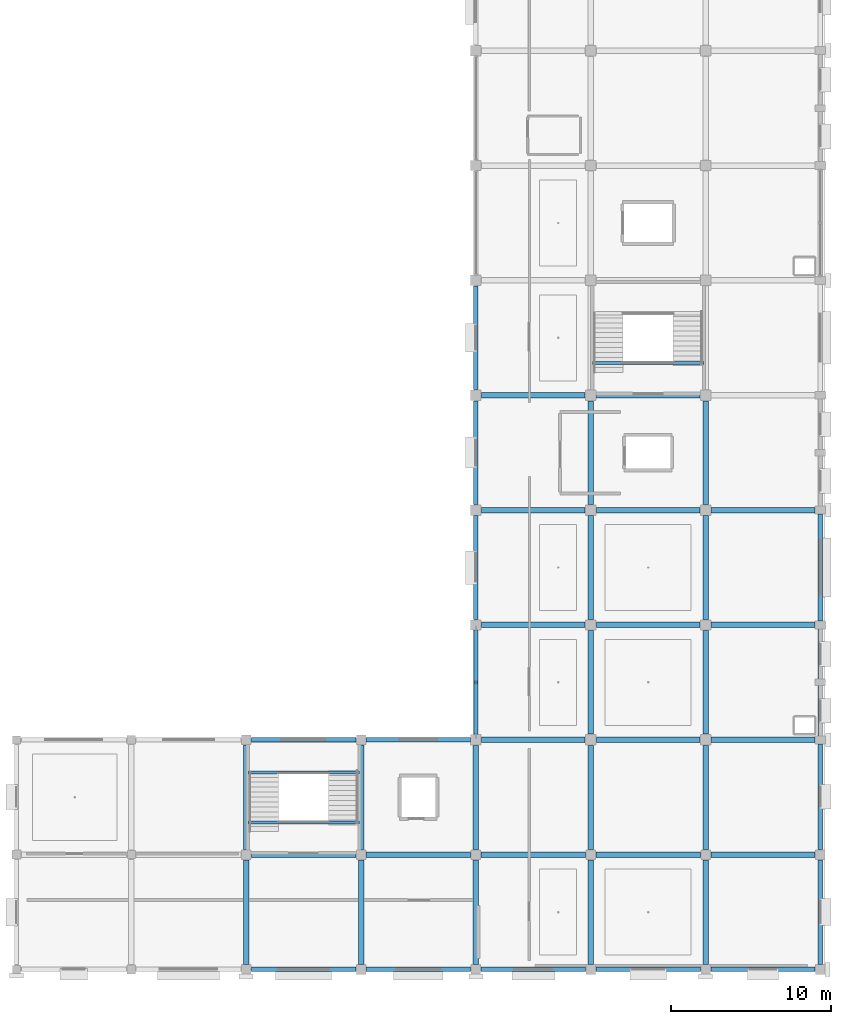
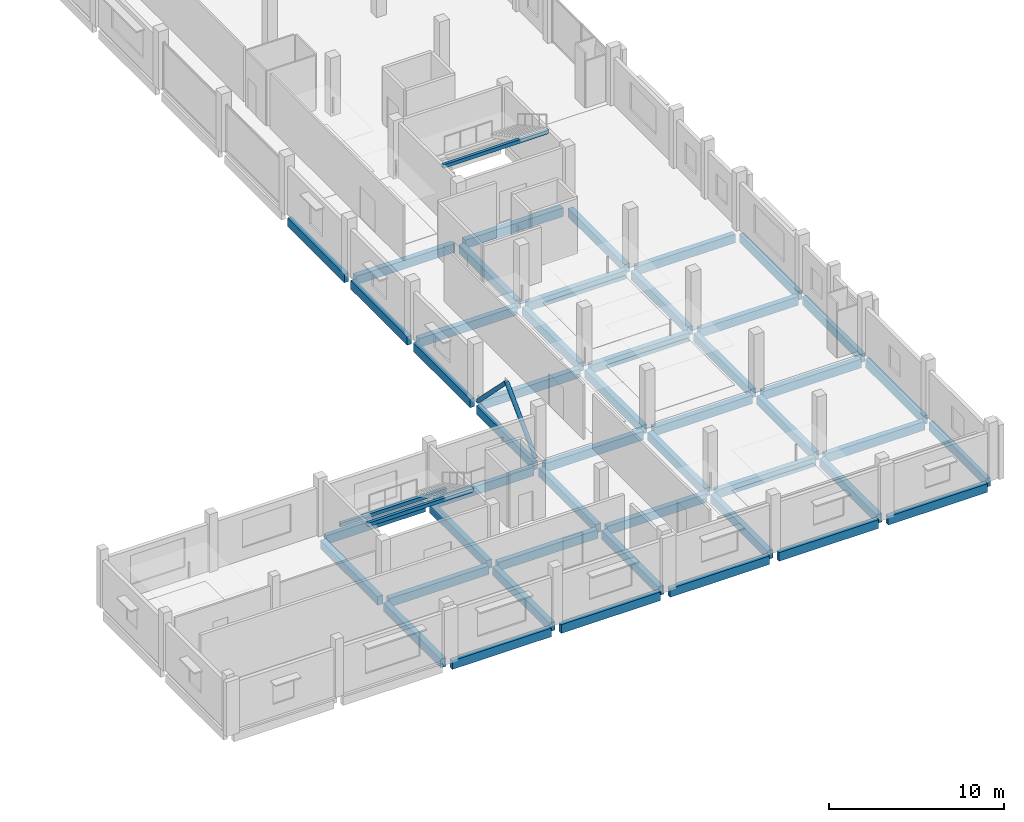
# One storey, part 29 of 77: 50 beams, 2 members.
"""IFC4 building model written with IfcOpenShell, lengths in metres."""

from ifc_helpers import new_model, si_unit, direction, frame, origin, origin_2d, place, context, subcontext, project, spatial, rectangle, hollow_circle, extrude, material, material_profile, profile_set, type_object, element, save


model = new_model("IFC4")

# Units and contexts
model_context = context("Model", 3, precision=1e-05, world=origin(), true_north=direction((0.0, 1.0)))
body_context = subcontext(model_context, "Body", "Model", "MODEL_VIEW")
ifc_project = project(units=[si_unit("LENGTHUNIT", "METRE"), si_unit("AREAUNIT", "SQUARE_METRE"), si_unit("VOLUMEUNIT", "CUBIC_METRE"), si_unit("PLANEANGLEUNIT", "RADIAN"), si_unit("MASSUNIT", "GRAM", prefix="KILO")], contexts=[model_context])

# Site, building, storey
site_placement = place(None, origin())
site = spatial("IfcSite", under=ifc_project, at=site_placement, CompositionType="ELEMENT")
building_placement = place(site_placement, origin())
building = spatial("IfcBuilding", under=site, at=building_placement, Name="Kangsadwip Square Police Headquarters", CompositionType="ELEMENT")
storey_placement = place(building_placement, frame((0.0, 0.0, 17.550048828125)))
storey = spatial("IfcBuildingStorey", under=building, at=storey_placement, Name="L04", CompositionType="ELEMENT", Elevation=17.550048828125)

# Beams
ifc_material_1 = material(Name="Concrete M35 (35 MPa)", Category="concrete")
ifc_material_profile_1 = material_profile(ifc_material_1, rectangle(XDim=0.35009765625, YDim=0.60009765625, at=origin_2d()), Name="RC BM 600X350")
ifc_profile_set_1 = profile_set([ifc_material_profile_1], Name="Concrete M35 (35 MPa)")
beam_type_1 = type_object("IfcBeamType", Name="RcBeam600x350", PredefinedType="BEAM", material=ifc_profile_set_1)
for number, where, z_axis, x_axis, name in (
    (1, (129.925048828125, 28.800048828125, -0.5400390625), (1.0, 0.0, 0.0), (0.0, 1.0, 0.0), "Beam BM-L04-X-18-04"),
    (2, (137.125, 28.800048828125, -0.5400390625), (1.0, 0.0, 0.0), (0.0, 1.0, 0.0), "Beam BM-L04-X-19-04"),
    (3, (144.324951171875, 28.800048828125, -0.5400390625), (1.0, 0.0, 0.0), (0.0, 1.0, 0.0), "Beam BM-L04-X-20-04"),
    (4, (151.52490234375, 28.800048828125, -0.5400390625), (1.0, 0.0, 0.0), (0.0, 1.0, 0.0), "Beam BM-L04-X-21-04"),
):
    element("IfcBeam", number, at=place(storey_placement, frame(where, z_axis=z_axis, x_axis=x_axis)), inside=storey, type_object=beam_type_1, Name=name, PredefinedType="BEAM", context=body_context, shape_type="SweptSolid", body=[
        extrude(rectangle(XDim=0.35009765625, YDim=0.60009765625, at=origin_2d()), origin(), (0.0, 0.0, 1.0), 6.550048828125),
    ])
beam_1_placement = place(storey_placement, frame((158.72509765625, 28.800048828125, -0.5400390625), z_axis=(1.0, 0.0, 0.0), x_axis=(0.0, 1.0, 0.0)))
element("IfcBeam", 5, at=beam_1_placement, inside=storey, type_object=beam_type_1, Name="Beam BM-L04-X-22-04", PredefinedType="BEAM", context=body_context, shape_type="SweptSolid", body=[
    extrude(rectangle(XDim=0.35009765625, YDim=0.60009765625, at=origin_2d()), origin(), (0.0, 0.0, 1.0), 6.5498046875),
])
for number, where, z_axis, x_axis, name in (
    (6, (144.35009765625, 36.0, -0.5400390625), (1.0, 0.0, 0.0), (0.0, 1.0, 0.0), "Beam BM-L04-X-20-05"),
    (7, (151.550048828125, 36.0, -0.5400390625), (1.0, 0.0, 0.0), (0.0, 1.0, 0.0), "Beam BM-L04-X-21-05"),
    (8, (158.75, 36.0, -0.5400390625), (1.0, 0.0, 0.0), (0.0, 1.0, 0.0), "Beam BM-L04-X-22-05"),
    (9, (144.35009765625, 43.199951171875, -0.5400390625), (1.0, 0.0, 0.0), (0.0, 1.0, 0.0), "Beam BM-L04-X-20-06"),
    (10, (151.550048828125, 43.199951171875, -0.5400390625), (1.0, 0.0, 0.0), (0.0, 1.0, 0.0), "Beam BM-L04-X-21-06"),
    (11, (158.75, 43.199951171875, -0.5400390625), (1.0, 0.0, 0.0), (0.0, 1.0, 0.0), "Beam BM-L04-X-22-06"),
    (12, (144.35009765625, 50.39990234375, -0.5400390625), (1.0, 0.0, 0.0), (0.0, 1.0, 0.0), "Beam BM-L04-X-20-07"),
    (13, (151.550048828125, 50.39990234375, -0.5400390625), (1.0, 0.0, 0.0), (0.0, 1.0, 0.0), "Beam BM-L04-X-21-07"),
    (14, (158.75, 50.39990234375, -0.5400390625), (1.0, 0.0, 0.0), (0.0, 1.0, 0.0), "Beam BM-L04-X-22-07"),
    (15, (144.35009765625, 57.60009765625, -0.5400390625), (1.0, 0.0, 0.0), (0.0, 1.0, 0.0), "Beam BM-L04-X-20-08"),
    (16, (151.550048828125, 57.60009765625, -0.5400390625), (1.0, 0.0, 0.0), (0.0, 1.0, 0.0), "Beam BM-L04-X-21-08"),
):
    element("IfcBeam", number, at=place(storey_placement, frame(where, z_axis=z_axis, x_axis=x_axis)), inside=storey, type_object=beam_type_1, Name=name, PredefinedType="BEAM", context=body_context, shape_type="SweptSolid", body=[
        extrude(rectangle(XDim=0.35009765625, YDim=0.60009765625, at=origin_2d()), origin(), (0.0, 0.0, 1.0), 6.5),
    ])
for number, where, z_axis, x_axis, name in (
    (17, (129.60009765625, 21.925048828125, -0.5400390625), (0.0, 1.0, 0.0), (-1.0, 0.0, 0.0), "Beam BM-L04-Y-18-03"),
    (18, (129.60009765625, 29.125, -0.5400390625), (0.0, 1.0, 0.0), (-1.0, 0.0, 0.0), "Beam BM-L04-Y-18-04"),
    (19, (136.800048828125, 21.925048828125, -0.5400390625), (0.0, 1.0, 0.0), (-1.0, 0.0, 0.0), "Beam BM-L04-Y-19-03"),
    (20, (136.800048828125, 29.125, -0.5400390625), (0.0, 1.0, 0.0), (-1.0, 0.0, 0.0), "Beam BM-L04-Y-19-04"),
    (21, (144.0, 21.925048828125, -0.5400390625), (0.0, 1.0, 0.0), (-1.0, 0.0, 0.0), "Beam BM-L04-Y-20-03"),
):
    element("IfcBeam", number, at=place(storey_placement, frame(where, z_axis=z_axis, x_axis=x_axis)), inside=storey, type_object=beam_type_1, Name=name, PredefinedType="BEAM", context=body_context, shape_type="SweptSolid", body=[
        extrude(rectangle(XDim=0.35009765625, YDim=0.60009765625, at=origin_2d()), origin(), (0.0, 0.0, 1.0), 6.550048828125),
    ])
beam_2_placement = place(storey_placement, frame((144.0, 29.125, -0.5400390625), z_axis=(0.0, 1.0, 0.0), x_axis=(-1.0, 0.0, 0.0)))
element("IfcBeam", 22, at=beam_2_placement, inside=storey, type_object=beam_type_1, Name="Beam BM-L04-Y-20-04", PredefinedType="BEAM", context=body_context, shape_type="SweptSolid", body=[
    extrude(rectangle(XDim=0.35009765625, YDim=0.60009765625, at=origin_2d()), origin(), (0.0, 0.0, 1.0), 6.52490234375),
])
beam_3_placement = place(storey_placement, frame((151.199951171875, 21.925048828125, -0.5400390625), z_axis=(0.0, 1.0, 0.0), x_axis=(-1.0, 0.0, 0.0)))
element("IfcBeam", 23, at=beam_3_placement, inside=storey, type_object=beam_type_1, Name="Beam BM-L04-Y-21-03", PredefinedType="BEAM", context=body_context, shape_type="SweptSolid", body=[
    extrude(rectangle(XDim=0.35009765625, YDim=0.60009765625, at=origin_2d()), origin(), (0.0, 0.0, 1.0), 6.550048828125),
])
beam_4_placement = place(storey_placement, frame((151.199951171875, 29.125, -0.5400390625), z_axis=(0.0, 1.0, 0.0), x_axis=(-1.0, 0.0, 0.0)))
element("IfcBeam", 24, at=beam_4_placement, inside=storey, type_object=beam_type_1, Name="Beam BM-L04-Y-21-04", PredefinedType="BEAM", context=body_context, shape_type="SweptSolid", body=[
    extrude(rectangle(XDim=0.35009765625, YDim=0.60009765625, at=origin_2d()), origin(), (0.0, 0.0, 1.0), 6.52490234375),
])
for number, where, z_axis, x_axis, name in (
    (25, (151.199951171875, 36.35009765625, -0.5400390625), (0.0, 1.0, 0.0), (-1.0, 0.0, 0.0), "Beam BM-L04-Y-21-05"),
    (26, (151.199951171875, 43.550048828125, -0.5400390625), (0.0, 1.0, 0.0), (-1.0, 0.0, 0.0), "Beam BM-L04-Y-21-06"),
    (27, (151.199951171875, 50.75, -0.5400390625), (0.0, 1.0, 0.0), (-1.0, 0.0, 0.0), "Beam BM-L04-Y-21-07"),
):
    element("IfcBeam", number, at=place(storey_placement, frame(where, z_axis=z_axis, x_axis=x_axis)), inside=storey, type_object=beam_type_1, Name=name, PredefinedType="BEAM", context=body_context, shape_type="SweptSolid", body=[
        extrude(rectangle(XDim=0.35009765625, YDim=0.60009765625, at=origin_2d()), origin(), (0.0, 0.0, 1.0), 6.5),
    ])
beam_5_placement = place(storey_placement, frame((158.39990234375, 21.925048828125, -0.5400390625), z_axis=(0.0, 1.0, 0.0), x_axis=(-1.0, 0.0, 0.0)))
element("IfcBeam", 28, at=beam_5_placement, inside=storey, type_object=beam_type_1, Name="Beam BM-L04-Y-22-03", PredefinedType="BEAM", context=body_context, shape_type="SweptSolid", body=[
    extrude(rectangle(XDim=0.35009765625, YDim=0.60009765625, at=origin_2d()), origin(), (0.0, 0.0, 1.0), 6.550048828125),
])
beam_6_placement = place(storey_placement, frame((158.39990234375, 29.125, -0.5400390625), z_axis=(0.0, 1.0, 0.0), x_axis=(-1.0, 0.0, 0.0)))
element("IfcBeam", 29, at=beam_6_placement, inside=storey, type_object=beam_type_1, Name="Beam BM-L04-Y-22-04", PredefinedType="BEAM", context=body_context, shape_type="SweptSolid", body=[
    extrude(rectangle(XDim=0.35009765625, YDim=0.60009765625, at=origin_2d()), origin(), (0.0, 0.0, 1.0), 6.52490234375),
])
for number, where, z_axis, x_axis, name in (
    (30, (158.39990234375, 36.35009765625, -0.5400390625), (0.0, 1.0, 0.0), (-1.0, 0.0, 0.0), "Beam BM-L04-Y-22-05"),
    (31, (158.39990234375, 43.550048828125, -0.5400390625), (0.0, 1.0, 0.0), (-1.0, 0.0, 0.0), "Beam BM-L04-Y-22-06"),
    (32, (158.39990234375, 50.75, -0.5400390625), (0.0, 1.0, 0.0), (-1.0, 0.0, 0.0), "Beam BM-L04-Y-22-07"),
):
    element("IfcBeam", number, at=place(storey_placement, frame(where, z_axis=z_axis, x_axis=x_axis)), inside=storey, type_object=beam_type_1, Name=name, PredefinedType="BEAM", context=body_context, shape_type="SweptSolid", body=[
        extrude(rectangle(XDim=0.35009765625, YDim=0.60009765625, at=origin_2d()), origin(), (0.0, 0.0, 1.0), 6.5),
    ])
ifc_material_2 = material(Name="Concrete M30 (30 MPa)", Category="concrete")
ifc_material_profile_2 = material_profile(ifc_material_2, rectangle(XDim=0.199951171875, YDim=0.25, at=origin_2d()), Name="RC LNT 250X200")
ifc_profile_set_2 = profile_set([ifc_material_profile_2], Name="Concrete M30 (30 MPa)")
beam_type_2 = type_object("IfcBeamType", Name="RcLintel250x200", PredefinedType="LINTEL", material=ifc_profile_set_2)
for number, where, z_axis, x_axis, name in (
    (33, (151.300048828125, 59.6201171875, 3.704833984375), (1.0, 0.0, 0.0), (0.0, 1.0, 0.0), "Stair Carriage and Landing Beam BM-ST-L04-051"),
    (34, (129.699951171875, 33.93994140625, 1.801025390625), (1.0, 0.0, 0.0), (0.0, 1.0, 0.0), "Stair Carriage and Landing Beam BM-ST-L04-087"),
    (35, (129.699951171875, 30.820068359375, 3.704833984375), (1.0, 0.0, 0.0), (0.0, 1.0, 0.0), "Stair Carriage and Landing Beam BM-ST-L04-088"),
):
    element("IfcBeam", number, at=place(storey_placement, frame(where, z_axis=z_axis, x_axis=x_axis)), inside=storey, type_object=beam_type_2, Name=name, PredefinedType="BEAM", context=body_context, shape_type="SweptSolid", body=[
        extrude(rectangle(XDim=0.199951171875, YDim=0.25, at=origin_2d()), origin(), (0.0, 0.0, 1.0), 7.0),
    ])
ifc_material_3 = material(Name="Concrete M40 (40 MPa)", Category="concrete")
ifc_material_profile_3 = material_profile(ifc_material_3, rectangle(XDim=0.280029296875, YDim=0.60009765625, at=origin_2d()), Name="RC SPN 600X280")
ifc_profile_set_3 = profile_set([ifc_material_profile_3], Name="Concrete M40 (40 MPa)")
beam_type_3 = type_object("IfcBeamType", Name="RcSpandrel600x280", PredefinedType="SPANDREL", material=ifc_profile_set_3)
for number, where, z_axis, x_axis, name in (
    (36, (129.925048828125, 21.60009765625, -0.5400390625), (1.0, 0.0, 0.0), (0.0, 1.0, 0.0), "Beam BM-L04-X-18-03"),
    (37, (137.125, 21.60009765625, -0.5400390625), (1.0, 0.0, 0.0), (0.0, 1.0, 0.0), "Beam BM-L04-X-19-03"),
    (38, (144.324951171875, 21.60009765625, -0.5400390625), (1.0, 0.0, 0.0), (0.0, 1.0, 0.0), "Beam BM-L04-X-20-03"),
    (39, (151.52490234375, 21.60009765625, -0.5400390625), (1.0, 0.0, 0.0), (0.0, 1.0, 0.0), "Beam BM-L04-X-21-03"),
):
    element("IfcBeam", number, at=place(storey_placement, frame(where, z_axis=z_axis, x_axis=x_axis)), inside=storey, type_object=beam_type_3, Name=name, PredefinedType="SPANDREL", context=body_context, shape_type="SweptSolid", body=[
        extrude(rectangle(XDim=0.280029296875, YDim=0.60009765625, at=origin_2d()), origin(), (0.0, 0.0, 1.0), 6.550048828125),
    ])
beam_7_placement = place(storey_placement, frame((158.72509765625, 21.60009765625, -0.5400390625), z_axis=(1.0, 0.0, 0.0), x_axis=(0.0, 1.0, 0.0)))
element("IfcBeam", 40, at=beam_7_placement, inside=storey, type_object=beam_type_3, Name="Beam BM-L04-X-22-03", PredefinedType="SPANDREL", context=body_context, shape_type="SweptSolid", body=[
    extrude(rectangle(XDim=0.280029296875, YDim=0.60009765625, at=origin_2d()), origin(), (0.0, 0.0, 1.0), 6.5498046875),
])
beam_8_placement = place(storey_placement, frame((129.925048828125, 36.0, -0.5400390625), z_axis=(1.0, 0.0, 0.0), x_axis=(0.0, 1.0, 0.0)))
element("IfcBeam", 41, at=beam_8_placement, inside=storey, type_object=beam_type_3, Name="Beam BM-L04-X-18-05", PredefinedType="SPANDREL", context=body_context, shape_type="SweptSolid", body=[
    extrude(rectangle(XDim=0.280029296875, YDim=0.60009765625, at=origin_2d()), origin(), (0.0, 0.0, 1.0), 6.550048828125),
])
beam_9_placement = place(storey_placement, frame((137.125, 36.0, -0.5400390625), z_axis=(1.0, 0.0, 0.0), x_axis=(0.0, 1.0, 0.0)))
element("IfcBeam", 42, at=beam_9_placement, inside=storey, type_object=beam_type_3, Name="Beam BM-L04-X-19-05", PredefinedType="SPANDREL", context=body_context, shape_type="SweptSolid", body=[
    extrude(rectangle(XDim=0.280029296875, YDim=0.60009765625, at=origin_2d()), origin(), (0.0, 0.0, 1.0), 6.52490234375),
])
for number, where, z_axis, x_axis, name in (
    (43, (144.0, 36.35009765625, -0.5400390625), (0.0, 1.0, 0.0), (-1.0, 0.0, 0.0), "Beam BM-L04-Y-20-05"),
    (44, (144.0, 43.550048828125, -0.5400390625), (0.0, 1.0, 0.0), (-1.0, 0.0, 0.0), "Beam BM-L04-Y-20-06"),
    (45, (144.0, 50.75, -0.5400390625), (0.0, 1.0, 0.0), (-1.0, 0.0, 0.0), "Beam BM-L04-Y-20-07"),
    (46, (144.0, 57.949951171875, -0.5400390625), (0.0, 1.0, 0.0), (-1.0, 0.0, 0.0), "Beam BM-L04-Y-20-08"),
):
    element("IfcBeam", number, at=place(storey_placement, frame(where, z_axis=z_axis, x_axis=x_axis)), inside=storey, type_object=beam_type_3, Name=name, PredefinedType="SPANDREL", context=body_context, shape_type="SweptSolid", body=[
        extrude(rectangle(XDim=0.280029296875, YDim=0.60009765625, at=origin_2d()), origin(), (0.0, 0.0, 1.0), 6.5),
    ])
beam_10_placement = place(storey_placement, frame((165.60009765625, 21.925048828125, -0.5400390625), z_axis=(0.0, 1.0, 0.0), x_axis=(-1.0, 0.0, 0.0)))
element("IfcBeam", 47, at=beam_10_placement, inside=storey, type_object=beam_type_3, Name="Beam BM-L04-Y-23-03", PredefinedType="SPANDREL", context=body_context, shape_type="SweptSolid", body=[
    extrude(rectangle(XDim=0.280029296875, YDim=0.60009765625, at=origin_2d()), origin(), (0.0, 0.0, 1.0), 6.550048828125),
])
beam_11_placement = place(storey_placement, frame((165.60009765625, 29.125, -0.5400390625), z_axis=(0.0, 1.0, 0.0), x_axis=(-1.0, 0.0, 0.0)))
element("IfcBeam", 48, at=beam_11_placement, inside=storey, type_object=beam_type_3, Name="Beam BM-L04-Y-23-04", PredefinedType="SPANDREL", context=body_context, shape_type="SweptSolid", body=[
    extrude(rectangle(XDim=0.280029296875, YDim=0.60009765625, at=origin_2d()), origin(), (0.0, 0.0, 1.0), 6.625),
])
for number, where, z_axis, x_axis, name in (
    (49, (165.60009765625, 36.25, -0.5400390625), (0.0, 1.0, 0.0), (-1.0, 0.0, 0.0), "Beam BM-L04-Y-23-05"),
    (50, (165.60009765625, 43.449951171875, -0.5400390625), (0.0, 1.0, 0.0), (-1.0, 0.0, 0.0), "Beam BM-L04-Y-23-06"),
):
    element("IfcBeam", number, at=place(storey_placement, frame(where, z_axis=z_axis, x_axis=x_axis)), inside=storey, type_object=beam_type_3, Name=name, PredefinedType="SPANDREL", context=body_context, shape_type="SweptSolid", body=[
        extrude(rectangle(XDim=0.280029296875, YDim=0.60009765625, at=origin_2d()), origin(), (0.0, 0.0, 1.0), 6.699951171875),
    ])

# Members
ifc_material_4 = material(Name="Structural steel IS 2062 E350 (Grade 350, 350 MPa)", Category="steel")
ifc_material_profile_4 = material_profile(ifc_material_4, hollow_circle(Radius=0.136474609375, WallThickness=0.010009765625, at=origin_2d()), Name="CHS 273X10")
ifc_profile_set_4 = profile_set([ifc_material_profile_4], Name="Structural steel IS 2062 E350 (Grade 350, 350 MPa)")
member_type = type_object("IfcMemberType", Name="TrussBraceChs273", PredefinedType="BRACE", material=ifc_profile_set_4)
member_1_placement = place(storey_placement, frame((144.0, 36.300048828125, 0.0), z_axis=(0.0, 0.706035191316, 0.708176749564), x_axis=(-1.0, 0.0, 0.0)))
element("IfcMember", 51, at=member_1_placement, inside=storey, type_object=member_type, Name="Truss Member MEM-L04-0294", PredefinedType="BRACE", context=body_context, shape_type="SweptSolid", body=[
    extrude(hollow_circle(Radius=0.136474609375, WallThickness=0.010009765625, at=origin_2d()), origin(), (0.0, 0.0, 1.0), 4.674072265625),
])
member_2_placement = place(storey_placement, frame((144.0, 42.89990234375, 0.0), z_axis=(0.0, -0.706008994206, 0.708202866487), x_axis=(1.0, 0.0, 0.0)))
element("IfcMember", 52, at=member_2_placement, inside=storey, type_object=member_type, Name="Truss Member MEM-L04-0295", PredefinedType="BRACE", context=body_context, shape_type="SweptSolid", body=[
    extrude(hollow_circle(Radius=0.136474609375, WallThickness=0.010009765625, at=origin_2d()), origin(), (0.0, 0.0, 1.0), 4.673828125),
])

save(model, "model.ifc")
